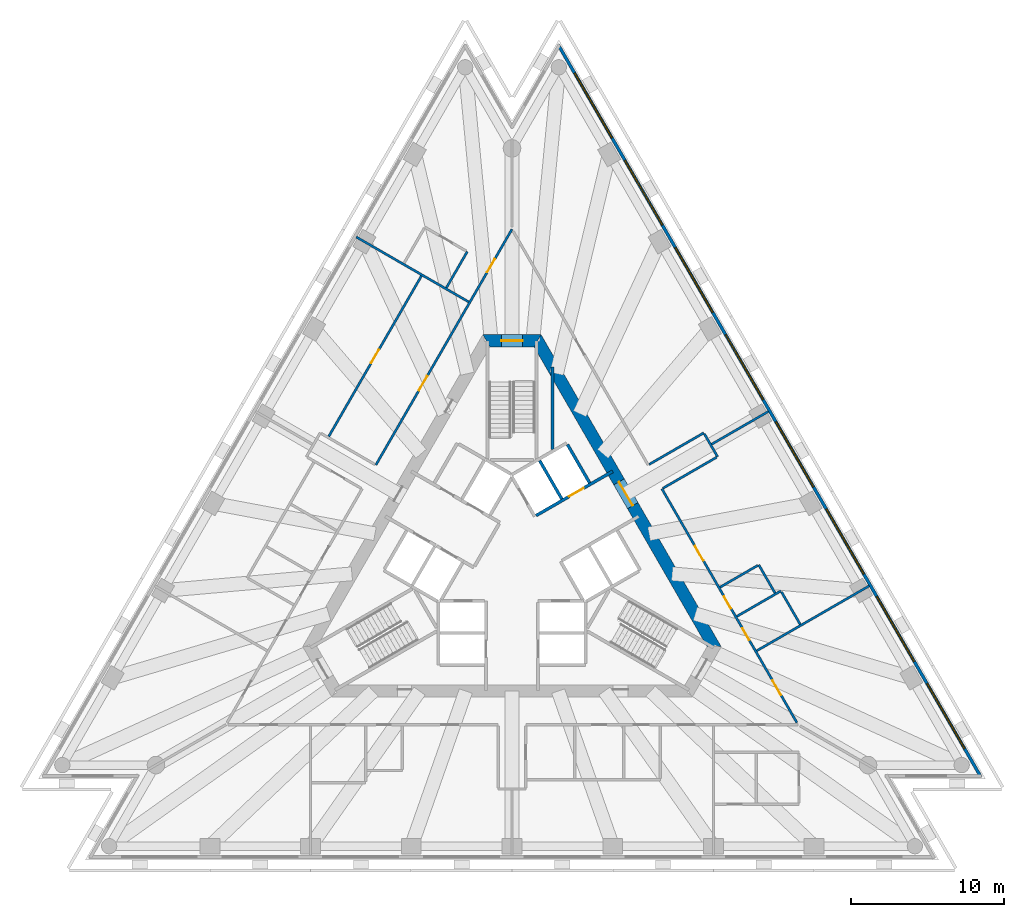
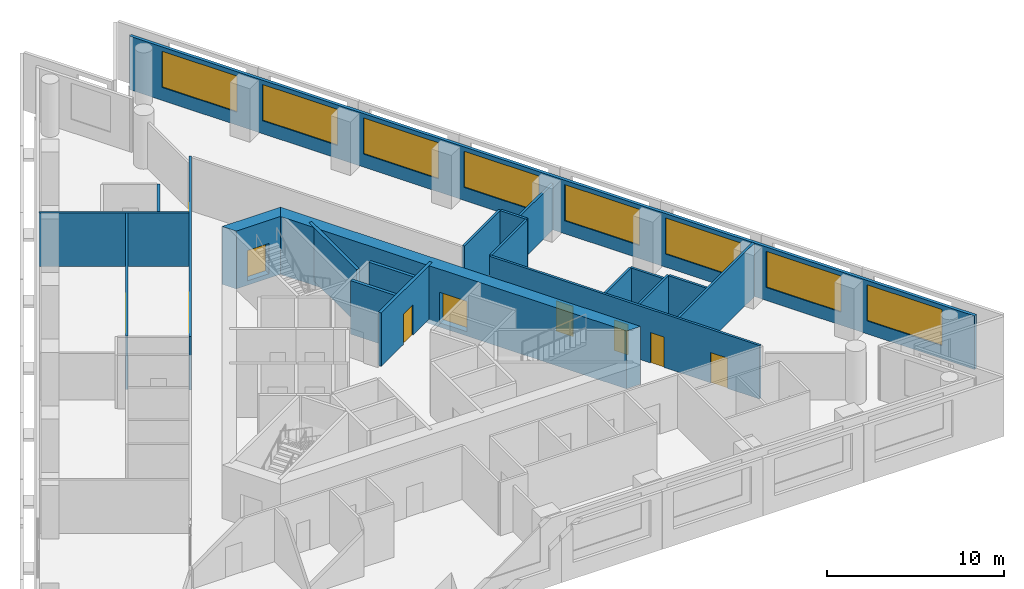
# One storey, part 6 of 10: 21 walls, 10 doors, 8 windows, 18 openings.
"""IFC4 building model written with IfcOpenShell, lengths in metres."""

from ifc_helpers import new_model, si_unit, direction, frame, frame_2d, origin, place, context, subcontext, project, spatial, polyline, rectangle, outline, extrude, material, layer, layer_set, layer_usage, type_object, element, fill, save


model = new_model("IFC4")

# Units and contexts
model_context = context("Model", 3, precision=1e-05, world=origin(), true_north=direction((0.0, 1.0)))
body_context = subcontext(model_context, "Body", "Model", "MODEL_VIEW")
ifc_project = project(units=[si_unit("LENGTHUNIT", "METRE"), si_unit("AREAUNIT", "SQUARE_METRE"), si_unit("VOLUMEUNIT", "CUBIC_METRE"), si_unit("PLANEANGLEUNIT", "RADIAN"), si_unit("MASSUNIT", "GRAM", prefix="KILO")], contexts=[model_context])

# Site, building, storey
site_placement = place(None, origin())
site = spatial("IfcSite", under=ifc_project, at=site_placement, CompositionType="ELEMENT")
building_placement = place(site_placement, origin())
building = spatial("IfcBuilding", under=site, at=building_placement, Name="Triada Interchange Tower", CompositionType="ELEMENT")
storey_placement = place(building_placement, frame((0.0, 0.0, 152.300048828125)))
storey = spatial("IfcBuildingStorey", under=building, at=storey_placement, Name="L35", CompositionType="ELEMENT", Elevation=152.300048828125)

# Wall, opening, door
ifc_material_1 = material(Name="Concrete C30/37", Category="concrete")
ifc_layer_1 = layer(ifc_material_1, 0.199951171875)
ifc_layer_set_1 = layer_set([ifc_layer_1], Name="CORE WALL 200 EI 120")
wall_type_1 = type_object("IfcWallType", Name="CORE WALL 200 EI 120", PredefinedType="SOLIDWALL", material=ifc_layer_set_1)
wall_1_placement = place(storey_placement, frame((1.576904296875, 2.8740234375, 0.0), z_axis=(0.0, 0.0, 1.0), x_axis=(0.866073694534, 0.499916348638, 0.0)))
wall_1 = element("IfcWall", 1, at=wall_1_placement, inside=storey, type_object=wall_type_1, Name="Wall L35 64", PredefinedType="SOLIDWALL", context=body_context, shape_type="SweptSolid", body=[
    extrude(rectangle(XDim=5.77685546875, YDim=0.199951171875, at=frame_2d((2.888427734375, 0.0))), origin(), (0.0, 0.0, 1.0), 3.699951171875),
])
opening_1_placement = place(wall_1_placement, frame((2.4970703125, 0.0, 0.0)))
opening_1 = element("IfcOpeningElement", 2, at=opening_1_placement, cuts=wall_1, Name="Opening LD-LR6", PredefinedType="OPENING", context=body_context, shape_type="SweptSolid", body=[
    extrude(rectangle(XDim=1.10009765625, YDim=2.10009765625, at=frame_2d((0.550048828125, 1.050048828125))), frame((0.0, 0.10986328125, 0.0), z_axis=(0.0, -1.0, 0.0), x_axis=(1.0, 0.0, 0.0)), (0.0, 0.0, 1.0), 0.219970703125),
])
ifc_material_2 = material(Name="Steel S235 door leaf", Category="steel")
door_type_1 = type_object("IfcDoorType", Name="LIFT LANDING DOOR 1100 EI 120", OperationType="SLIDING_TO_LEFT", PredefinedType="DOOR", material=ifc_material_2)
door_1_placement = place(opening_1_placement, origin())
door_1 = element("IfcDoor", 3, at=door_1_placement, inside=storey, type_object=door_type_1, Name="LR6 landing door L35", OperationType="SLIDING_TO_LEFT", OverallHeight=2.10009765625, OverallWidth=1.10009765625, PredefinedType="DOOR", context=body_context, shape_type="SweptSolid", body=[
    extrude(rectangle(XDim=1.10009765625, YDim=2.10009765625, at=frame_2d((0.550048828125, 1.050048828125))), frame((0.0, 0.02490234375, 0.0), z_axis=(0.0, -1.0, 0.0), x_axis=(1.0, 0.0, 0.0)), (0.0, 0.0, 1.0), 0.050048828125),
])
fill(opening_1, door_1)

# Walls
for number, where, z_axis, x_axis, name in (
    (4, (1.806884765625, 6.469970703125, 0.0), (0.0, 0.0, 1.0), (0.50012328804, -0.865954211699, 0.0), "Wall L35 67"),
    (5, (3.6259765625, 7.52001953125, 0.0), (0.0, 0.0, 1.0), (0.500060147554, -0.865990674793, 0.0), "Wall L35 69"),
):
    element("IfcWall", number, at=place(storey_placement, frame(where, z_axis=z_axis, x_axis=x_axis)), inside=storey, type_object=wall_type_1, Name=name, PredefinedType="SOLIDWALL", context=body_context, shape_type="SweptSolid", body=[
        extrude(rectangle(XDim=2.899658203125, YDim=0.199951171875, at=frame_2d((1.44970703125, 0.0))), origin(), (0.0, 0.0, 1.0), 3.699951171875),
    ])
ifc_layer_2 = layer(ifc_material_1, 0.199951171875)
ifc_layer_set_2 = layer_set([ifc_layer_2], Name="CORE WALL 200 EI 90")
wall_type_2 = type_object("IfcWallType", Name="CORE WALL 200 EI 90", PredefinedType="SOLIDWALL", material=ifc_layer_set_2)
wall_2_placement = place(storey_placement, frame((2.64404296875, 7.18505859375, 0.0), z_axis=(0.0, 0.0, 1.0), x_axis=(0.0, 1.0, 0.0)))
element("IfcWall", 6, at=wall_2_placement, inside=storey, type_object=wall_type_2, Name="Wall L35 88", PredefinedType="SOLIDWALL", context=body_context, shape_type="SweptSolid", body=[
    extrude(rectangle(XDim=5.39501953125, YDim=0.199951171875, at=frame_2d((2.697509765625, 0.0))), origin(), (0.0, 0.0, 1.0), 3.699951171875),
])

# Wall, opening, door
ifc_material_3 = material(Name="Concrete C60/75", Category="concrete")
ifc_layer_3 = layer(ifc_material_3, 0.800048828125)
ifc_layer_set_3 = layer_set([ifc_layer_3], Name="Core wall B 800")
wall_type_3 = type_object("IfcWallType", Name="Core wall B 800", PredefinedType="SHEAR", material=ifc_layer_set_3)
wall_3_placement = place(storey_placement, frame((1.674072265625, 14.300048828125, -0.300048828125), z_axis=(0.0, 0.0, 1.0), x_axis=(-1.0, 0.0, 0.0)))
wall_3 = element("IfcWall", 7, at=wall_3_placement, inside=storey, type_object=wall_type_3, Name="Core wall WB01 L35", PredefinedType="SHEAR", context=body_context, shape_type="SweptSolid", body=[
    extrude(outline(polyline([(-0.23095703125, -0.39990234375), (1.674072265625, -0.39990234375), (3.5791015625, -0.39990234375), (3.116943359375, 0.39990234375), (1.673828125, 0.39990234375), (0.23095703125, 0.39990234375), (-0.23095703125, -0.39990234375)])), origin(), (0.0, 0.0, 1.0), 4.0),
])
opening_2_placement = place(wall_3_placement, frame((0.97412109375, 0.0, 0.300048828125)))
opening_2 = element("IfcOpeningElement", 8, at=opening_2_placement, cuts=wall_3, Name="Opening D35-37", PredefinedType="OPENING", context=body_context, shape_type="SweptSolid", body=[
    extrude(rectangle(XDim=1.39990234375, YDim=2.10009765625, at=frame_2d((0.699951171875, 1.050048828125))), frame((0.0, 0.409912109375, 0.0), z_axis=(0.0, -1.0, 0.0), x_axis=(1.0, 0.0, 0.0)), (0.0, 0.0, 1.0), 0.820068359375),
])
door_type_2 = type_object("IfcDoorType", Name="STAIR DOOR 1400 EI2 90-C5S200", OperationType="DOUBLE_DOOR_SINGLE_SWING", PredefinedType="DOOR", material=ifc_material_2)
door_2_placement = place(opening_2_placement, origin())
door_2 = element("IfcDoor", 9, at=door_2_placement, inside=storey, type_object=door_type_2, Name="Door D35-37 L35", OperationType="DOUBLE_DOOR_SINGLE_SWING", OverallHeight=2.10009765625, OverallWidth=1.39990234375, PredefinedType="DOOR", context=body_context, shape_type="SweptSolid", body=[
    extrude(rectangle(XDim=1.39990234375, YDim=2.10009765625, at=frame_2d((0.699951171875, 1.050048828125))), frame((0.0, 0.02490234375, 0.0), z_axis=(0.0, -1.0, 0.0), x_axis=(1.0, 0.0, 0.0)), (0.0, 0.0, 1.0), 0.050048828125),
])
fill(opening_2, door_2)

wall_4_placement = place(storey_placement, frame((13.220947265625, -5.699951171875, -0.300048828125), z_axis=(0.0, 0.0, 1.0), x_axis=(-0.499995765644, 0.866027848477, 0.0)))
wall_4 = element("IfcWall", 10, at=wall_4_placement, inside=storey, type_object=wall_type_3, Name="Core wall WB06 L35", PredefinedType="SHEAR", context=body_context, shape_type="SweptSolid", body=[
    extrude(outline(polyline([(-0.23095703125, -0.39990234375), (1.73193359375, -0.39990234375), (3.695068359375, -0.39990234375), (5.657958984375, -0.39990234375), (7.62109375, -0.39990234375), (9.583984375, -0.39990234375), (11.546875, -0.39990234375), (13.510009765625, -0.39990234375), (15.472900390625, -0.39990234375), (17.43603515625, -0.39990234375), (19.39892578125, -0.39990234375), (21.362060546875, -0.39990234375), (23.324951171875, -0.39990234375), (22.863037109375, 0.39990234375), (20.97705078125, 0.39990234375), (19.091064453125, 0.39990234375), (17.205078125, 0.39990234375), (15.319091796875, 0.39990234375), (13.43310546875, 0.39990234375), (11.546875, 0.39990234375), (9.660888671875, 0.39990234375), (7.77490234375, 0.39990234375), (5.888916015625, 0.39990234375), (4.0029296875, 0.39990234375), (2.116943359375, 0.39990234375), (0.23095703125, 0.39990234375), (-0.23095703125, -0.39990234375)])), origin(), (0.0, 0.0, 1.0), 4.0),
])
opening_3_placement = place(wall_4_placement, frame((10.64697265625, 0.0, 0.300048828125)))
opening_3 = element("IfcOpeningElement", 11, at=opening_3_placement, cuts=wall_4, Name="Opening D35-36", PredefinedType="OPENING", context=body_context, shape_type="SweptSolid", body=[
    extrude(rectangle(XDim=1.800048828125, YDim=2.10009765625, at=frame_2d((0.89990234375, 1.050048828125))), frame((0.0, 0.409912109375, 0.0), z_axis=(0.0, -1.0, 0.0), x_axis=(1.0, 0.0, 0.0)), (0.0, 0.0, 1.0), 0.820068359375),
])
door_type_3 = type_object("IfcDoorType", Name="LOBBY DOOR 1800 EI2 90-C5S200", OperationType="DOUBLE_DOOR_SINGLE_SWING", PredefinedType="DOOR", material=ifc_material_2)
door_3_placement = place(opening_3_placement, origin())
door_3 = element("IfcDoor", 12, at=door_3_placement, inside=storey, type_object=door_type_3, Name="Door D35-36 L35", OperationType="DOUBLE_DOOR_SINGLE_SWING", OverallHeight=2.10009765625, OverallWidth=1.800048828125, PredefinedType="DOOR", context=body_context, shape_type="SweptSolid", body=[
    extrude(rectangle(XDim=1.800048828125, YDim=2.10009765625, at=frame_2d((0.89990234375, 1.050048828125))), frame((0.0, 0.02490234375, 0.0), z_axis=(0.0, -1.0, 0.0), x_axis=(1.0, 0.0, 0.0)), (0.0, 0.0, 1.0), 0.050048828125),
])
fill(opening_3, door_3)

# Wall, openings, windows
ifc_material_4 = material(Name="Cement board")
ifc_layer_4 = layer(ifc_material_4, 0.02001953125, Name="Cement board cladding")
ifc_material_5 = material(Name="Sheathing board")
ifc_layer_5 = layer(ifc_material_5, 0.014892578125, Name="Sheathing board")
ifc_material_6 = material(Name="Mineral wool")
ifc_layer_6 = layer(ifc_material_6, 0.14990234375, Name="Mineral wool between steel studs")
ifc_material_7 = material(Name="Gypsum board")
ifc_layer_7 = layer(ifc_material_7, 0.014892578125, Name="Plasterboard lining")
ifc_layer_set_4 = layer_set([ifc_layer_4, ifc_layer_5, ifc_layer_6, ifc_layer_7], Name="External wall 200")
ifc_layer_usage = layer_usage(ifc_layer_set_4, "AXIS2", "POSITIVE", -0.10009765625)
wall_type_4 = type_object("IfcWallType", Name="External wall 200", PredefinedType="ELEMENTEDWALL", material=ifc_layer_set_4)
wall_5_placement = place(storey_placement, frame((30.6640625, -14.219970703125, 0.0), z_axis=(0.0, 0.0, 1.0), x_axis=(-0.499984613623, 0.866034286931, 0.0)))
wall_5 = element("IfcWall", 13, at=wall_5_placement, inside=storey, type_object=wall_type_4, material=ifc_layer_usage, Name="External wall L35 NE", PredefinedType="ELEMENTEDWALL", context=body_context, shape_type="SweptSolid", body=[
    extrude(rectangle(XDim=55.273681640625, YDim=0.199951171875, at=frame_2d((27.63671875, 0.0))), origin(), (0.0, 0.0, 1.0), 3.699951171875),
])
opening_4_placement = place(wall_5_placement, frame((2.14599609375, 0.0, 0.89990234375)))
opening_4 = element("IfcOpeningElement", 14, at=opening_4_placement, cuts=wall_5, Name="Opening WB21", PredefinedType="OPENING", context=body_context, shape_type="SweptSolid", body=[
    extrude(rectangle(XDim=4.89990234375, YDim=2.5, at=frame_2d((2.449951171875, 1.25))), frame((0.0, 0.10986328125, 0.0), z_axis=(0.0, -1.0, 0.0), x_axis=(1.0, 0.0, 0.0)), (0.0, 0.0, 1.0), 0.219970703125),
])
opening_5_placement = place(wall_5_placement, frame((8.73193359375, 0.0, 0.89990234375)))
opening_5 = element("IfcOpeningElement", 15, at=opening_5_placement, cuts=wall_5, Name="Opening WB22", PredefinedType="OPENING", context=body_context, shape_type="SweptSolid", body=[
    extrude(rectangle(XDim=4.89990234375, YDim=2.5, at=frame_2d((2.449951171875, 1.25))), frame((0.0, 0.10986328125, 0.0), z_axis=(0.0, -1.0, 0.0), x_axis=(1.0, 0.0, 0.0)), (0.0, 0.0, 1.0), 0.219970703125),
])
opening_6_placement = place(wall_5_placement, frame((15.318115234375, 0.0, 0.89990234375)))
opening_6 = element("IfcOpeningElement", 16, at=opening_6_placement, cuts=wall_5, Name="Opening WB23", PredefinedType="OPENING", context=body_context, shape_type="SweptSolid", body=[
    extrude(rectangle(XDim=4.89990234375, YDim=2.5, at=frame_2d((2.449951171875, 1.25))), frame((0.0, 0.10986328125, 0.0), z_axis=(0.0, -1.0, 0.0), x_axis=(1.0, 0.0, 0.0)), (0.0, 0.0, 1.0), 0.219970703125),
])
opening_7_placement = place(wall_5_placement, frame((21.904052734375, 0.0, 0.89990234375)))
opening_7 = element("IfcOpeningElement", 17, at=opening_7_placement, cuts=wall_5, Name="Opening WB24", PredefinedType="OPENING", context=body_context, shape_type="SweptSolid", body=[
    extrude(rectangle(XDim=4.89990234375, YDim=2.5, at=frame_2d((2.449951171875, 1.25))), frame((0.0, 0.10986328125, 0.0), z_axis=(0.0, -1.0, 0.0), x_axis=(1.0, 0.0, 0.0)), (0.0, 0.0, 1.0), 0.219970703125),
])
opening_8_placement = place(wall_5_placement, frame((28.489990234375, 0.0, 0.89990234375)))
opening_8 = element("IfcOpeningElement", 18, at=opening_8_placement, cuts=wall_5, Name="Opening WB25", PredefinedType="OPENING", context=body_context, shape_type="SweptSolid", body=[
    extrude(rectangle(XDim=4.89990234375, YDim=2.5, at=frame_2d((2.449951171875, 1.25))), frame((0.0, 0.10986328125, 0.0), z_axis=(0.0, -1.0, 0.0), x_axis=(1.0, 0.0, 0.0)), (0.0, 0.0, 1.0), 0.219970703125),
])
opening_9_placement = place(wall_5_placement, frame((35.075927734375, 0.0, 0.89990234375)))
opening_9 = element("IfcOpeningElement", 19, at=opening_9_placement, cuts=wall_5, Name="Opening WB26", PredefinedType="OPENING", context=body_context, shape_type="SweptSolid", body=[
    extrude(rectangle(XDim=4.89990234375, YDim=2.5, at=frame_2d((2.449951171875, 1.25))), frame((0.0, 0.10986328125, 0.0), z_axis=(0.0, -1.0, 0.0), x_axis=(1.0, 0.0, 0.0)), (0.0, 0.0, 1.0), 0.219970703125),
])
opening_10_placement = place(wall_5_placement, frame((41.662109375, 0.0, 0.89990234375)))
opening_10 = element("IfcOpeningElement", 20, at=opening_10_placement, cuts=wall_5, Name="Opening WB27", PredefinedType="OPENING", context=body_context, shape_type="SweptSolid", body=[
    extrude(rectangle(XDim=4.89990234375, YDim=2.5, at=frame_2d((2.449951171875, 1.25))), frame((0.0, 0.10986328125, 0.0), z_axis=(0.0, -1.0, 0.0), x_axis=(1.0, 0.0, 0.0)), (0.0, 0.0, 1.0), 0.219970703125),
])
opening_11_placement = place(wall_5_placement, frame((48.248046875, 0.0, 0.89990234375)))
opening_11 = element("IfcOpeningElement", 21, at=opening_11_placement, cuts=wall_5, Name="Opening WB28", PredefinedType="OPENING", context=body_context, shape_type="SweptSolid", body=[
    extrude(rectangle(XDim=4.89990234375, YDim=2.5, at=frame_2d((2.449951171875, 1.25))), frame((0.0, 0.10986328125, 0.0), z_axis=(0.0, -1.0, 0.0), x_axis=(1.0, 0.0, 0.0)), (0.0, 0.0, 1.0), 0.219970703125),
])
ifc_material_8 = material(Name="Double glazed aluminium window", Category="aluminium")
window_type = type_object("IfcWindowType", Name="Ribbon window B face", PartitioningType="SINGLE_PANEL", PredefinedType="WINDOW", material=ifc_material_8)
window_1_placement = place(opening_4_placement, origin())
window_1 = element("IfcWindow", 22, at=window_1_placement, inside=storey, type_object=window_type, Name="Window L35 NE 1", OverallHeight=2.5, OverallWidth=4.89990234375, PartitioningType="SINGLE_PANEL", PredefinedType="WINDOW", context=body_context, shape_type="SweptSolid", body=[
    extrude(rectangle(XDim=4.89990234375, YDim=2.5, at=frame_2d((2.449951171875, 1.25))), frame((0.0, 0.030029296875, 0.0), z_axis=(0.0, -1.0, 0.0), x_axis=(1.0, 0.0, 0.0)), (0.0, 0.0, 1.0), 0.06005859375),
])
fill(opening_4, window_1)
window_2_placement = place(opening_5_placement, origin())
window_2 = element("IfcWindow", 23, at=window_2_placement, inside=storey, type_object=window_type, Name="Window L35 NE 2", OverallHeight=2.5, OverallWidth=4.89990234375, PartitioningType="SINGLE_PANEL", PredefinedType="WINDOW", context=body_context, shape_type="SweptSolid", body=[
    extrude(rectangle(XDim=4.89990234375, YDim=2.5, at=frame_2d((2.449951171875, 1.25))), frame((0.0, 0.030029296875, 0.0), z_axis=(0.0, -1.0, 0.0), x_axis=(1.0, 0.0, 0.0)), (0.0, 0.0, 1.0), 0.06005859375),
])
fill(opening_5, window_2)
window_3_placement = place(opening_6_placement, origin())
window_3 = element("IfcWindow", 24, at=window_3_placement, inside=storey, type_object=window_type, Name="Window L35 NE 3", OverallHeight=2.5, OverallWidth=4.89990234375, PartitioningType="SINGLE_PANEL", PredefinedType="WINDOW", context=body_context, shape_type="SweptSolid", body=[
    extrude(rectangle(XDim=4.89990234375, YDim=2.5, at=frame_2d((2.449951171875, 1.25))), frame((0.0, 0.030029296875, 0.0), z_axis=(0.0, -1.0, 0.0), x_axis=(1.0, 0.0, 0.0)), (0.0, 0.0, 1.0), 0.06005859375),
])
fill(opening_6, window_3)
window_4_placement = place(opening_7_placement, origin())
window_4 = element("IfcWindow", 25, at=window_4_placement, inside=storey, type_object=window_type, Name="Window L35 NE 4", OverallHeight=2.5, OverallWidth=4.89990234375, PartitioningType="SINGLE_PANEL", PredefinedType="WINDOW", context=body_context, shape_type="SweptSolid", body=[
    extrude(rectangle(XDim=4.89990234375, YDim=2.5, at=frame_2d((2.449951171875, 1.25))), frame((0.0, 0.030029296875, 0.0), z_axis=(0.0, -1.0, 0.0), x_axis=(1.0, 0.0, 0.0)), (0.0, 0.0, 1.0), 0.06005859375),
])
fill(opening_7, window_4)
window_5_placement = place(opening_8_placement, origin())
window_5 = element("IfcWindow", 26, at=window_5_placement, inside=storey, type_object=window_type, Name="Window L35 NE 5", OverallHeight=2.5, OverallWidth=4.89990234375, PartitioningType="SINGLE_PANEL", PredefinedType="WINDOW", context=body_context, shape_type="SweptSolid", body=[
    extrude(rectangle(XDim=4.89990234375, YDim=2.5, at=frame_2d((2.449951171875, 1.25))), frame((0.0, 0.030029296875, 0.0), z_axis=(0.0, -1.0, 0.0), x_axis=(1.0, 0.0, 0.0)), (0.0, 0.0, 1.0), 0.06005859375),
])
fill(opening_8, window_5)
window_6_placement = place(opening_9_placement, origin())
window_6 = element("IfcWindow", 27, at=window_6_placement, inside=storey, type_object=window_type, Name="Window L35 NE 6", OverallHeight=2.5, OverallWidth=4.89990234375, PartitioningType="SINGLE_PANEL", PredefinedType="WINDOW", context=body_context, shape_type="SweptSolid", body=[
    extrude(rectangle(XDim=4.89990234375, YDim=2.5, at=frame_2d((2.449951171875, 1.25))), frame((0.0, 0.030029296875, 0.0), z_axis=(0.0, -1.0, 0.0), x_axis=(1.0, 0.0, 0.0)), (0.0, 0.0, 1.0), 0.06005859375),
])
fill(opening_9, window_6)
window_7_placement = place(opening_10_placement, origin())
window_7 = element("IfcWindow", 28, at=window_7_placement, inside=storey, type_object=window_type, Name="Window L35 NE 7", OverallHeight=2.5, OverallWidth=4.89990234375, PartitioningType="SINGLE_PANEL", PredefinedType="WINDOW", context=body_context, shape_type="SweptSolid", body=[
    extrude(rectangle(XDim=4.89990234375, YDim=2.5, at=frame_2d((2.449951171875, 1.25))), frame((0.0, 0.030029296875, 0.0), z_axis=(0.0, -1.0, 0.0), x_axis=(1.0, 0.0, 0.0)), (0.0, 0.0, 1.0), 0.06005859375),
])
fill(opening_10, window_7)
window_8_placement = place(opening_11_placement, origin())
window_8 = element("IfcWindow", 29, at=window_8_placement, inside=storey, type_object=window_type, Name="Window L35 NE 8", OverallHeight=2.5, OverallWidth=4.89990234375, PartitioningType="SINGLE_PANEL", PredefinedType="WINDOW", context=body_context, shape_type="SweptSolid", body=[
    extrude(rectangle(XDim=4.89990234375, YDim=2.5, at=frame_2d((2.449951171875, 1.25))), frame((0.0, 0.030029296875, 0.0), z_axis=(0.0, -1.0, 0.0), x_axis=(1.0, 0.0, 0.0)), (0.0, 0.0, 1.0), 0.06005859375),
])
fill(opening_11, window_8)

# Wall
ifc_material_9 = material(Name="Gypsum board partition")
ifc_layer_8 = layer(ifc_material_9, 0.14990234375)
ifc_layer_set_5 = layer_set([ifc_layer_8], Name="PARTITION 150 EI 180")
wall_type_5 = type_object("IfcWallType", Name="PARTITION 150 EI 180", PredefinedType="PARTITIONING", material=ifc_layer_set_5)
wall_6_placement = place(storey_placement, frame((13.054931640625, 7.5380859375, 0.0), z_axis=(0.0, 0.0, 1.0), x_axis=(0.866070942811, 0.499921115796, 0.0)))
element("IfcWall", 30, at=wall_6_placement, inside=storey, type_object=wall_type_5, Name="Wall L35 2", PredefinedType="PARTITIONING", context=body_context, shape_type="SweptSolid", body=[
    extrude(rectangle(XDim=4.290771484375, YDim=0.14990234375, at=frame_2d((2.1455078125, 0.0))), origin(), (0.0, 0.0, 1.0), 3.199951171875),
])

# Wall, openings, doors
wall_7_placement = place(storey_placement, frame((-8.902099609375, 6.180908203125, 0.0), z_axis=(0.0, 0.0, 1.0), x_axis=(0.499992688384, 0.866029625107, 0.0)))
wall_7 = element("IfcWall", 31, at=wall_7_placement, inside=storey, type_object=wall_type_5, Name="Wall L35 7", PredefinedType="PARTITIONING", context=body_context, shape_type="SweptSolid", body=[
    extrude(rectangle(XDim=17.804443359375, YDim=0.14990234375, at=frame_2d((8.90234375, 0.0))), origin(), (0.0, 0.0, 1.0), 3.699951171875),
])
opening_12_placement = place(wall_7_placement, frame((14.553955078125, 0.0, 0.0)))
opening_12 = element("IfcOpeningElement", 32, at=opening_12_placement, cuts=wall_7, Name="Opening D35-27", PredefinedType="OPENING", context=body_context, shape_type="SweptSolid", body=[
    extrude(rectangle(XDim=1.0, YDim=2.10009765625, at=frame_2d((0.5, 1.050048828125))), frame((0.0, 0.0849609375, 0.0), z_axis=(0.0, -1.0, 0.0), x_axis=(1.0, 0.0, 0.0)), (0.0, 0.0, 1.0), 0.169921875),
])
opening_13_placement = place(wall_7_placement, frame((5.6201171875, 0.0, 0.0)))
opening_13 = element("IfcOpeningElement", 33, at=opening_13_placement, cuts=wall_7, Name="Opening D35-29", PredefinedType="OPENING", context=body_context, shape_type="SweptSolid", body=[
    extrude(rectangle(XDim=1.10009765625, YDim=2.10009765625, at=frame_2d((0.550048828125, 1.050048828125))), frame((0.0, 0.0849609375, 0.0), z_axis=(0.0, -1.0, 0.0), x_axis=(1.0, 0.0, 0.0)), (0.0, 0.0, 1.0), 0.169921875),
])
door_type_4 = type_object("IfcDoorType", Name="ROOM DOOR 1000 EI2 90-C5S200", OperationType="NOTDEFINED", PredefinedType="DOOR", material=ifc_material_2)
door_4_placement = place(opening_12_placement, origin())
door_4 = element("IfcDoor", 34, at=door_4_placement, inside=storey, type_object=door_type_4, Name="Door D35-27 L35", OperationType="SINGLE_SWING_RIGHT", OverallHeight=2.10009765625, OverallWidth=1.0, PredefinedType="DOOR", context=body_context, shape_type="SweptSolid", body=[
    extrude(rectangle(XDim=1.0, YDim=2.10009765625, at=frame_2d((0.5, 1.050048828125))), frame((0.0, 0.02490234375, 0.0), z_axis=(0.0, -1.0, 0.0), x_axis=(1.0, 0.0, 0.0)), (0.0, 0.0, 1.0), 0.050048828125),
])
fill(opening_12, door_4)
door_type_5 = type_object("IfcDoorType", Name="TENANCY ENTRANCE DOOR 1100 EI2 90-C5S200", OperationType="NOTDEFINED", PredefinedType="DOOR", material=ifc_material_2)
door_5_placement = place(opening_13_placement, origin())
door_5 = element("IfcDoor", 35, at=door_5_placement, inside=storey, type_object=door_type_5, Name="Door D35-29 L35", OperationType="SINGLE_SWING_LEFT", OverallHeight=2.10009765625, OverallWidth=1.10009765625, PredefinedType="DOOR", context=body_context, shape_type="SweptSolid", body=[
    extrude(rectangle(XDim=1.10009765625, YDim=2.10009765625, at=frame_2d((0.550048828125, 1.050048828125))), frame((0.0, 0.02490234375, 0.0), z_axis=(0.0, -1.0, 0.0), x_axis=(1.0, 0.0, 0.0)), (0.0, 0.0, 1.0), 0.050048828125),
])
fill(opening_13, door_5)

# Wall
wall_8_placement = place(storey_placement, frame((-10.18603515625, 21.091064453125, 0.0), z_axis=(0.0, 0.0, 1.0), x_axis=(0.866012267213, -0.500022752519, 0.0)))
element("IfcWall", 36, at=wall_8_placement, inside=storey, type_object=wall_type_5, Name="Wall L35 20", PredefinedType="PARTITIONING", context=body_context, shape_type="SweptSolid", body=[
    extrude(rectangle(XDim=8.49169921875, YDim=0.14990234375, at=frame_2d((4.245849609375, 0.0))), origin(), (0.0, 0.0, 1.0), 3.699951171875),
])

# Wall, openings, doors
wall_9_placement = place(storey_placement, frame((9.802978515625, 4.6201171875, 0.0), z_axis=(0.0, 0.0, 1.0), x_axis=(0.500017706633, -0.866015180614, 0.0)))
wall_9 = element("IfcWall", 37, at=wall_9_placement, inside=storey, type_object=wall_type_5, Name="Wall L35 29", PredefinedType="PARTITIONING", context=body_context, shape_type="SweptSolid", body=[
    extrude(rectangle(XDim=17.655517578125, YDim=0.14990234375, at=frame_2d((8.82763671875, 0.0))), origin(), (0.0, 0.0, 1.0), 3.699951171875),
])
opening_14_placement = place(wall_9_placement, frame((14.4560546875, 0.0, 0.0)))
opening_14 = element("IfcOpeningElement", 38, at=opening_14_placement, cuts=wall_9, Name="Opening D35-22", PredefinedType="OPENING", context=body_context, shape_type="SweptSolid", body=[
    extrude(rectangle(XDim=1.10009765625, YDim=2.10009765625, at=frame_2d((0.550048828125, 1.050048828125))), frame((0.0, 0.0849609375, 0.0), z_axis=(0.0, -1.0, 0.0), x_axis=(1.0, 0.0, 0.0)), (0.0, 0.0, 1.0), 0.169921875),
])
opening_15_placement = place(wall_9_placement, frame((4.321044921875, 0.0, 0.0)))
opening_15 = element("IfcOpeningElement", 39, at=opening_15_placement, cuts=wall_9, Name="Opening D35-23", PredefinedType="OPENING", context=body_context, shape_type="SweptSolid", body=[
    extrude(rectangle(XDim=1.10009765625, YDim=2.10009765625, at=frame_2d((0.550048828125, 1.050048828125))), frame((0.0, 0.0849609375, 0.0), z_axis=(0.0, -1.0, 0.0), x_axis=(1.0, 0.0, 0.0)), (0.0, 0.0, 1.0), 0.169921875),
])
opening_16_placement = place(wall_9_placement, frame((10.52099609375, 0.0, 0.0)))
opening_16 = element("IfcOpeningElement", 40, at=opening_16_placement, cuts=wall_9, Name="Opening D35-24", PredefinedType="OPENING", context=body_context, shape_type="SweptSolid", body=[
    extrude(rectangle(XDim=0.89990234375, YDim=2.10009765625, at=frame_2d((0.449951171875, 1.050048828125))), frame((0.0, 0.0849609375, 0.0), z_axis=(0.0, -1.0, 0.0), x_axis=(1.0, 0.0, 0.0)), (0.0, 0.0, 1.0), 0.169921875),
])
opening_17_placement = place(wall_9_placement, frame((8.12109375, 0.0, 0.0)))
opening_17 = element("IfcOpeningElement", 41, at=opening_17_placement, cuts=wall_9, Name="Opening D35-25", PredefinedType="OPENING", context=body_context, shape_type="SweptSolid", body=[
    extrude(rectangle(XDim=0.89990234375, YDim=2.10009765625, at=frame_2d((0.449951171875, 1.050048828125))), frame((0.0, 0.0849609375, 0.0), z_axis=(0.0, -1.0, 0.0), x_axis=(1.0, 0.0, 0.0)), (0.0, 0.0, 1.0), 0.169921875),
])
door_type_6 = type_object("IfcDoorType", Name="ROOM DOOR 900 EI2 90-C5S200", OperationType="NOTDEFINED", PredefinedType="DOOR", material=ifc_material_2)
door_6_placement = place(opening_16_placement, origin())
door_6 = element("IfcDoor", 42, at=door_6_placement, inside=storey, type_object=door_type_6, Name="Door D35-24 L35", OperationType="SINGLE_SWING_LEFT", OverallHeight=2.10009765625, OverallWidth=0.89990234375, PredefinedType="DOOR", context=body_context, shape_type="SweptSolid", body=[
    extrude(rectangle(XDim=0.89990234375, YDim=2.10009765625, at=frame_2d((0.449951171875, 1.050048828125))), frame((0.0, 0.02490234375, 0.0), z_axis=(0.0, -1.0, 0.0), x_axis=(1.0, 0.0, 0.0)), (0.0, 0.0, 1.0), 0.050048828125),
])
fill(opening_16, door_6)
door_type_7 = type_object("IfcDoorType", Name="SERVICE DOOR 900 EI2 90-C5S200", OperationType="NOTDEFINED", PredefinedType="DOOR", material=ifc_material_2)
door_7_placement = place(opening_17_placement, origin())
door_7 = element("IfcDoor", 43, at=door_7_placement, inside=storey, type_object=door_type_7, Name="Door D35-25 L35", OperationType="SINGLE_SWING_LEFT", OverallHeight=2.10009765625, OverallWidth=0.89990234375, PredefinedType="DOOR", context=body_context, shape_type="SweptSolid", body=[
    extrude(rectangle(XDim=0.89990234375, YDim=2.10009765625, at=frame_2d((0.449951171875, 1.050048828125))), frame((0.0, 0.02490234375, 0.0), z_axis=(0.0, -1.0, 0.0), x_axis=(1.0, 0.0, 0.0)), (0.0, 0.0, 1.0), 0.050048828125),
])
fill(opening_17, door_7)
door_8_placement = place(opening_14_placement, origin())
door_8 = element("IfcDoor", 44, at=door_8_placement, inside=storey, type_object=door_type_5, Name="Door D35-22 L35", OperationType="SINGLE_SWING_RIGHT", OverallHeight=2.10009765625, OverallWidth=1.10009765625, PredefinedType="DOOR", context=body_context, shape_type="SweptSolid", body=[
    extrude(rectangle(XDim=1.10009765625, YDim=2.10009765625, at=frame_2d((0.550048828125, 1.050048828125))), frame((0.0, 0.02490234375, 0.0), z_axis=(0.0, -1.0, 0.0), x_axis=(1.0, 0.0, 0.0)), (0.0, 0.0, 1.0), 0.050048828125),
])
fill(opening_14, door_8)
door_9_placement = place(opening_15_placement, origin())
door_9 = element("IfcDoor", 45, at=door_9_placement, inside=storey, type_object=door_type_5, Name="Door D35-23 L35", OperationType="SINGLE_SWING_LEFT", OverallHeight=2.10009765625, OverallWidth=1.10009765625, PredefinedType="DOOR", context=body_context, shape_type="SweptSolid", body=[
    extrude(rectangle(XDim=1.10009765625, YDim=2.10009765625, at=frame_2d((0.550048828125, 1.050048828125))), frame((0.0, 0.02490234375, 0.0), z_axis=(0.0, -1.0, 0.0), x_axis=(1.0, 0.0, 0.0)), (0.0, 0.0, 1.0), 0.050048828125),
])
fill(opening_15, door_9)

# Walls
wall_10_placement = place(storey_placement, frame((8.968994140625, 6.218017578125, 0.0), z_axis=(0.0, 0.0, 1.0), x_axis=(0.865997263264, 0.500048737644, 0.0)))
element("IfcWall", 46, at=wall_10_placement, inside=storey, type_object=wall_type_5, Name="Wall L35 30", PredefinedType="PARTITIONING", context=body_context, shape_type="SweptSolid", body=[
    extrude(rectangle(XDim=4.12353515625, YDim=0.14990234375, at=frame_2d((2.061767578125, 0.0))), origin(), (0.0, 0.0, 1.0), 3.699951171875),
])
wall_11_placement = place(storey_placement, frame((12.577880859375, 8.215087890625, 0.0), z_axis=(0.0, 0.0, 1.0), x_axis=(0.499746958151, -0.866171448282, 0.0)))
element("IfcWall", 47, at=wall_11_placement, inside=storey, type_object=wall_type_5, Name="Wall L35 31", PredefinedType="PARTITIONING", context=body_context, shape_type="SweptSolid", body=[
    extrude(rectangle(XDim=1.72509765625, YDim=0.14990234375, at=frame_2d((0.862548828125, 0.0))), origin(), (0.0, 0.0, 1.0), 3.699951171875),
])
wall_12_placement = place(storey_placement, frame((9.868896484375, 4.658935546875, 0.0), z_axis=(0.0, 0.0, 1.0), x_axis=(0.866033948129, 0.499985200469, 0.0)))
element("IfcWall", 48, at=wall_12_placement, inside=storey, type_object=wall_type_5, Name="Wall L35 36", PredefinedType="PARTITIONING", context=body_context, shape_type="SweptSolid", body=[
    extrude(rectangle(XDim=4.04833984375, YDim=0.14990234375, at=frame_2d((2.024169921875, 0.0))), origin(), (0.0, 0.0, 1.0), 3.699951171875),
])
wall_13_placement = place(storey_placement, frame((16.136962890625, -0.35009765625, 0.0), z_axis=(0.0, 0.0, 1.0), x_axis=(0.499921421619, -0.866070766281, 0.0)))
element("IfcWall", 49, at=wall_13_placement, inside=storey, type_object=wall_type_5, Name="Wall L35 38", PredefinedType="PARTITIONING", context=body_context, shape_type="SweptSolid", body=[
    extrude(rectangle(XDim=2.124267578125, YDim=0.14990234375, at=frame_2d((1.06201171875, 0.0))), origin(), (0.0, 0.0, 1.0), 3.699951171875),
])
wall_14_placement = place(storey_placement, frame((13.60400390625, -1.81201171875, 0.0), z_axis=(0.0, 0.0, 1.0), x_axis=(0.866004402611, 0.500036373335, 0.0)))
element("IfcWall", 50, at=wall_14_placement, inside=storey, type_object=wall_type_5, Name="Wall L35 39", PredefinedType="PARTITIONING", context=body_context, shape_type="SweptSolid", body=[
    extrude(rectangle(XDim=2.849853515625, YDim=0.14990234375, at=frame_2d((1.4248046875, 0.0))), origin(), (0.0, 0.0, 1.0), 3.699951171875),
])
wall_15_placement = place(storey_placement, frame((14.7041015625, -3.718017578125, 0.0), z_axis=(0.0, 0.0, 1.0), x_axis=(0.865901827335, 0.500213979631, 0.0)))
element("IfcWall", 51, at=wall_15_placement, inside=storey, type_object=wall_type_5, Name="Wall L35 40", PredefinedType="PARTITIONING", context=body_context, shape_type="SweptSolid", body=[
    extrude(rectangle(XDim=3.32470703125, YDim=0.14990234375, at=frame_2d((1.662353515625, 0.0))), origin(), (0.0, 0.0, 1.0), 3.699951171875),
])
wall_16_placement = place(storey_placement, frame((16.00390625, -5.968994140625, 0.0), z_axis=(0.0, 0.0, 1.0), x_axis=(0.866045766046, 0.49996472987, 0.0)))
element("IfcWall", 52, at=wall_16_placement, inside=storey, type_object=wall_type_5, Name="Wall L35 41", PredefinedType="PARTITIONING", context=body_context, shape_type="SweptSolid", body=[
    extrude(rectangle(XDim=8.490234375, YDim=0.14990234375, at=frame_2d((4.2451171875, 0.0))), origin(), (0.0, 0.0, 1.0), 3.699951171875),
])
wall_17_placement = place(storey_placement, frame((17.62109375, -2.1201171875, 0.0), z_axis=(0.0, 0.0, 1.0), x_axis=(0.499943856944, -0.866057815567, 0.0)))
element("IfcWall", 53, at=wall_17_placement, inside=storey, type_object=wall_type_5, Name="Wall L35 42", PredefinedType="PARTITIONING", context=body_context, shape_type="SweptSolid", body=[
    extrude(rectangle(XDim=2.449951171875, YDim=0.14990234375, at=frame_2d((1.22509765625, 0.0))), origin(), (0.0, 0.0, 1.0), 3.699951171875),
])

# Wall, opening, door
ifc_layer_9 = layer(ifc_material_9, 0.14990234375)
ifc_layer_set_6 = layer_set([ifc_layer_9], Name="PARTITION 150 EI 90")
wall_type_6 = type_object("IfcWallType", Name="PARTITION 150 EI 90", PredefinedType="PARTITIONING", material=ifc_layer_set_6)
wall_18_placement = place(storey_placement, frame((-11.98291015625, 8.044921875, 0.0), z_axis=(0.0, 0.0, 1.0), x_axis=(0.49998396455, 0.866034661658, 0.0)))
wall_18 = element("IfcWall", 54, at=wall_18_placement, inside=storey, type_object=wall_type_6, Name="Wall L35 43", PredefinedType="PARTITIONING", context=body_context, shape_type="SweptSolid", body=[
    extrude(rectangle(XDim=12.1220703125, YDim=0.14990234375, at=frame_2d((6.06103515625, 0.0))), origin(), (0.0, 0.0, 1.0), 3.699951171875),
])
opening_18_placement = place(wall_18_placement, frame((5.547119140625, 0.0, 0.0)))
opening_18 = element("IfcOpeningElement", 55, at=opening_18_placement, cuts=wall_18, Name="Opening D35-30", PredefinedType="OPENING", context=body_context, shape_type="SweptSolid", body=[
    extrude(rectangle(XDim=1.0, YDim=2.10009765625, at=frame_2d((0.5, 1.050048828125))), frame((0.0, 0.0849609375, 0.0), z_axis=(0.0, -1.0, 0.0), x_axis=(1.0, 0.0, 0.0)), (0.0, 0.0, 1.0), 0.169921875),
])
door_type_8 = type_object("IfcDoorType", Name="ROOM DOOR 1000 EI2 45-C5S200", OperationType="NOTDEFINED", PredefinedType="DOOR", material=ifc_material_2)
door_10_placement = place(opening_18_placement, origin())
door_10 = element("IfcDoor", 56, at=door_10_placement, inside=storey, type_object=door_type_8, Name="Door D35-30 L35", OperationType="SINGLE_SWING_RIGHT", OverallHeight=2.10009765625, OverallWidth=1.0, PredefinedType="DOOR", context=body_context, shape_type="SweptSolid", body=[
    extrude(rectangle(XDim=1.0, YDim=2.10009765625, at=frame_2d((0.5, 1.050048828125))), frame((0.0, 0.02490234375, 0.0), z_axis=(0.0, -1.0, 0.0), x_axis=(1.0, 0.0, 0.0)), (0.0, 0.0, 1.0), 0.050048828125),
])
fill(opening_18, door_10)

# Wall
wall_19_placement = place(storey_placement, frame((-4.2880859375, 17.77294921875, 0.0), z_axis=(0.0, 0.0, 1.0), x_axis=(0.500004325324, 0.866022906543, 0.0)))
element("IfcWall", 57, at=wall_19_placement, inside=storey, type_object=wall_type_6, Name="Wall L35 44", PredefinedType="PARTITIONING", context=body_context, shape_type="SweptSolid", body=[
    extrude(rectangle(XDim=2.72412109375, YDim=0.14990234375, at=frame_2d((1.362060546875, 0.0))), origin(), (0.0, 0.0, 1.0), 3.699951171875),
])

save(model, "model.ifc")
